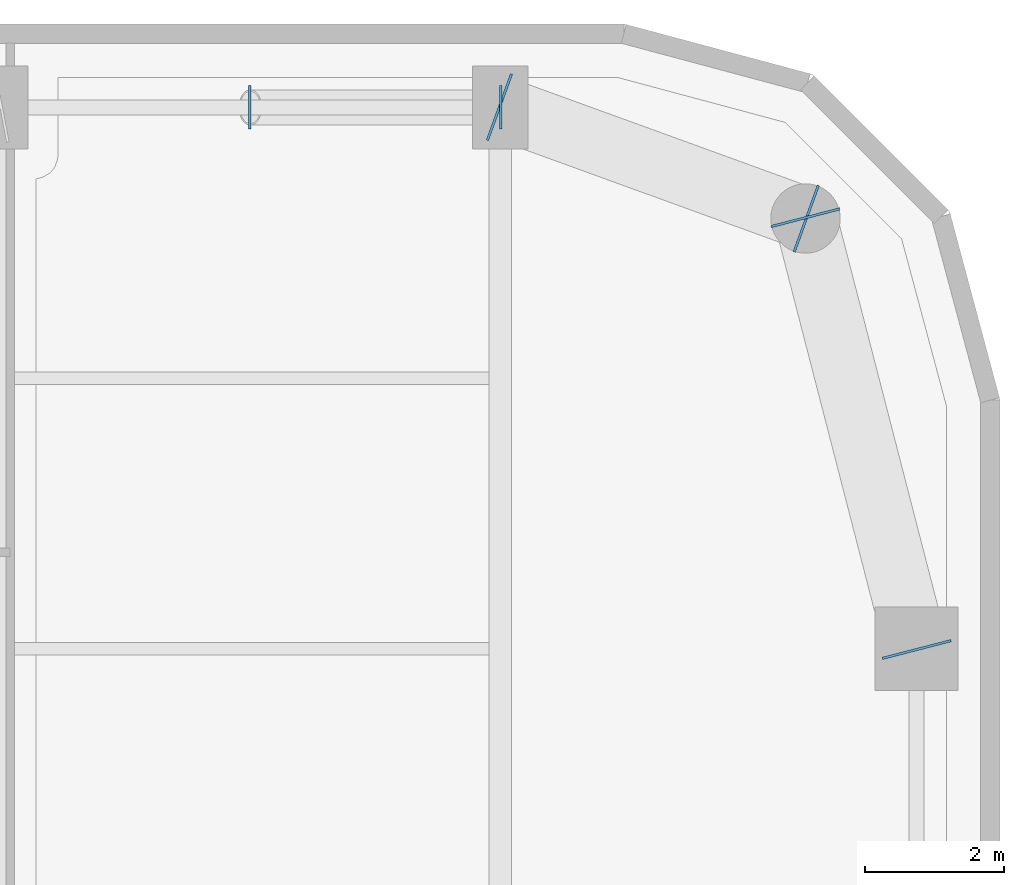
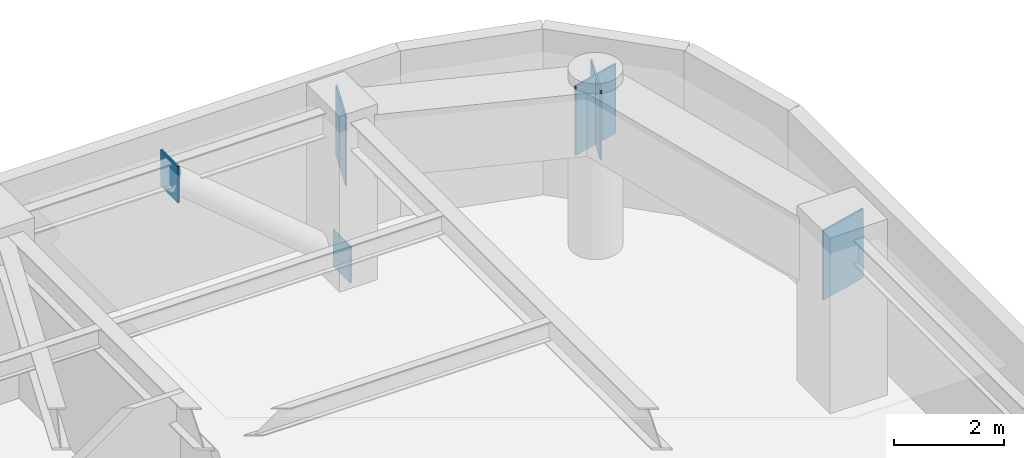
# One storey, part 23 of 30: 6 plates.
"""IFC4 building model written with IfcOpenShell, lengths in metres."""

from ifc_helpers import new_model, si_unit, direction, frame, origin, origin_2d, place, context, subcontext, project, spatial, rectangle, extrude, material, layer, layer_set, type_object, element, save


model = new_model("IFC4")

# Units and contexts
model_context = context("Model", 3, precision=1e-05, world=origin(), true_north=direction((0.0, 1.0)))
body_context = subcontext(model_context, "Body", "Model", "MODEL_VIEW")
ifc_project = project(units=[si_unit("LENGTHUNIT", "METRE"), si_unit("AREAUNIT", "SQUARE_METRE"), si_unit("VOLUMEUNIT", "CUBIC_METRE"), si_unit("PLANEANGLEUNIT", "RADIAN"), si_unit("MASSUNIT", "GRAM", prefix="KILO")], contexts=[model_context])

# Site, building, storey
site_placement = place(None, origin())
site = spatial("IfcSite", under=ifc_project, at=site_placement, CompositionType="ELEMENT")
building_placement = place(site_placement, origin())
building = spatial("IfcBuilding", under=site, at=building_placement, Name="Kiyonajd Concourse Tower", CompositionType="ELEMENT")
storey_placement = place(building_placement, frame((0.0, 0.0, 194.10009765625)))
storey = spatial("IfcBuildingStorey", under=building, at=storey_placement, Name="L49", CompositionType="ELEMENT", Elevation=194.10009765625)

# Plates
ifc_material = material(Name="Steel ASTM A572 Grade 50", Category="steel")
ifc_layer_1 = layer(ifc_material, 0.028076171875)
ifc_layer_set_1 = layer_set([ifc_layer_1], Name="Steel ASTM A572 Grade 50")
plate_type_1 = type_object("IfcPlateType", Name="PL-CAP-450", PredefinedType="USERDEFINED", material=ifc_layer_set_1)
for number, where, z_axis, x_axis, name in (
    (1, (63.6083984375, 61.199951171875, -0.109375), (0.0, 0.0, 1.0), (1.0, 0.0, 0.0), "L49 Hollow Brace End Cap Plate PBN"),
    (2, (59.99169921875, 61.199951171875, 2.93505859375), (0.0, 0.0, 1.0), (-1.0, 0.0, 0.0), "L49 Hollow Brace Top Cap Plate PBN"),
):
    element("IfcPlate", number, at=place(storey_placement, frame(where, z_axis=z_axis, x_axis=x_axis)), inside=storey, type_object=plate_type_1, Name=name, ObjectType="CAP PLATE", PredefinedType="USERDEFINED", context=body_context, shape_type="SweptSolid", body=[
        extrude(rectangle(XDim=0.035888671875, YDim=0.6279296875, at=origin_2d()), origin(), (0.0, 0.0, 1.0), 0.803955078125),
    ])
ifc_layer_2 = layer(ifc_material, 0.031982421875)
ifc_layer_set_2 = layer_set([ifc_layer_2], Name="Steel ASTM A572 Grade 50")
plate_type_2 = type_object("IfcPlateType", Name="PL-CAP-540", PredefinedType="USERDEFINED", material=ifc_layer_set_2)
for number, where, z_axis, x_axis, name in (
    (3, (69.602783203125, 53.389404296875, 2.2099609375), (0.0, 0.0, 1.0), (0.249873048837, -0.968278606324, 0.0), "L49 Welded Box Girder End Cap"),
    (4, (67.997314453125, 59.610595703125, 2.2099609375), (0.0, 0.0, 1.0), (-0.249873048837, 0.968278606324, 0.0), "L49 Welded Box Girder End Cap"),
    (5, (68.01025390625, 59.59619140625, 2.2099609375), (0.0, 0.0, 1.0), (0.939811951086, -0.341692107891, 0.0), "L49 Welded Box Girder End Cap"),
    (6, (63.589599609375, 61.203857421875, 2.2099609375), (0.0, 0.0, 1.0), (-0.939811951086, 0.341692107891, 0.0), "L49 Welded Box Girder End Cap"),
):
    element("IfcPlate", number, at=place(storey_placement, frame(where, z_axis=z_axis, x_axis=x_axis)), inside=storey, type_object=plate_type_2, Name=name, ObjectType="CAP PLATE", PredefinedType="USERDEFINED", context=body_context, shape_type="SweptSolid", body=[
        extrude(rectangle(XDim=0.035888671875, YDim=1.02001953125, at=origin_2d()), origin(), (0.0, 0.0, 1.0), 1.5400390625),
    ])

save(model, "model.ifc")
